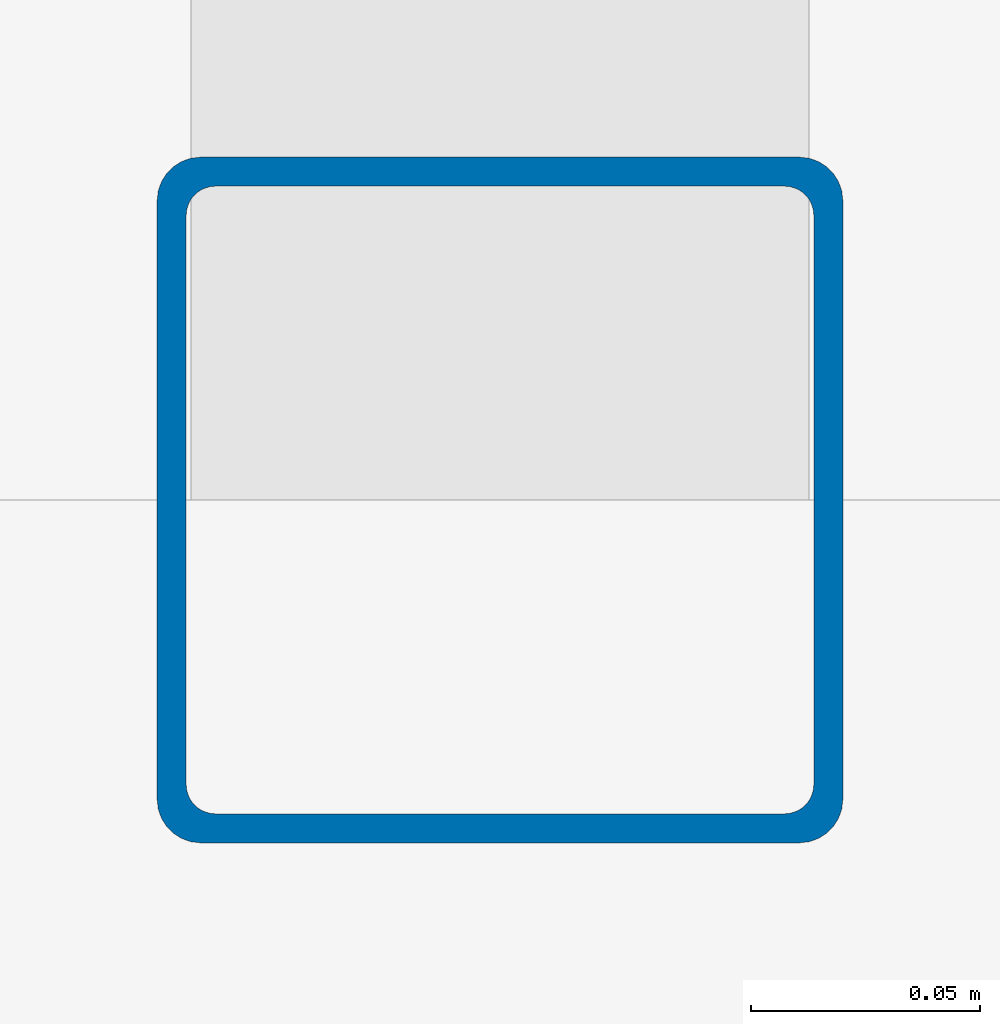
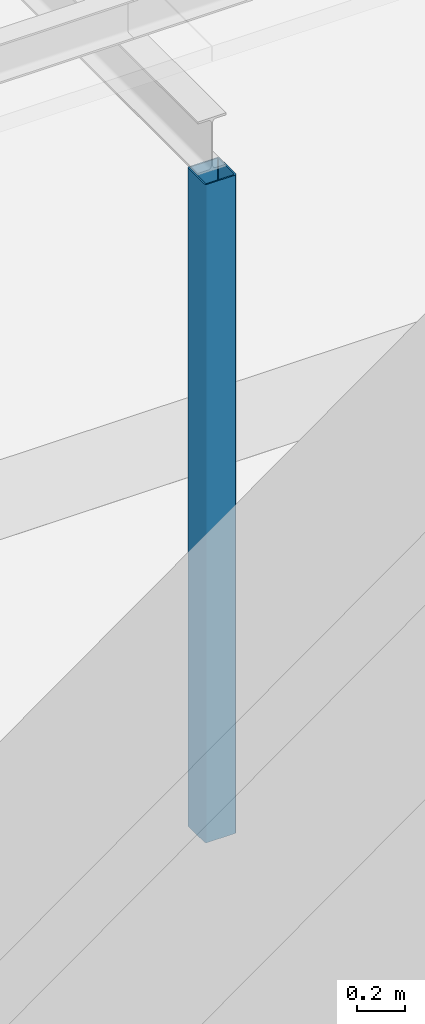
# One storey, part 16 of 144: 1 column.
"""IFC4 building model written with IfcOpenShell, lengths in metres."""

from ifc_helpers import new_model, si_unit, direction, frame, origin, origin_2d, place, context, subcontext, project, spatial, hollow_rectangle, extrude, material, material_profile, profile_set, type_object, element, save


model = new_model("IFC4")

# Units and contexts
model_context = context("Model", 3, precision=1e-05, world=origin(), true_north=direction((0.0, 1.0)))
body_context = subcontext(model_context, "Body", "Model", "MODEL_VIEW")
ifc_project = project(units=[si_unit("LENGTHUNIT", "METRE"), si_unit("AREAUNIT", "SQUARE_METRE"), si_unit("VOLUMEUNIT", "CUBIC_METRE"), si_unit("PLANEANGLEUNIT", "RADIAN"), si_unit("MASSUNIT", "GRAM", prefix="KILO")], contexts=[model_context])

# Site, building, storey
site_placement = place(None, origin())
site = spatial("IfcSite", under=ifc_project, at=site_placement, CompositionType="ELEMENT")
building_placement = place(site_placement, origin())
building = spatial("IfcBuilding", under=site, at=building_placement, Name="Lantern Court Media Centre", CompositionType="ELEMENT")
storey_placement = place(building_placement, origin())
storey = spatial("IfcBuildingStorey", under=building, at=storey_placement, Name="L00", CompositionType="ELEMENT", Elevation=0.0)

# Column
ifc_material = material(Name="Steel S355J2 (EN 10025-2)", Category="steel")
ifc_material_profile = material_profile(ifc_material, hollow_rectangle(XDim=0.14990234375, YDim=0.14990234375, WallThickness=0.00634765625, InnerFilletRadius=0.00634765625, OuterFilletRadius=0.009521484375, at=origin_2d()), Name="Cloister canopy post SHS 150x6.3")
ifc_profile_set = profile_set([ifc_material_profile], Name="Steel S355J2 (EN 10025-2)")
column_type = type_object("IfcColumnType", Name="Cloister canopy post SHS 150x6.3", PredefinedType="COLUMN", material=ifc_profile_set)
column_placement = place(storey_placement, frame((88.0, 41.5, 0.0), z_axis=(0.0, 0.0, 1.0), x_axis=(1.0, 0.0, 0.0)))
element("IfcColumn", 1, at=column_placement, inside=storey, type_object=column_type, Name="Cloister post 2-3-1", PredefinedType="COLUMN", context=body_context, shape_type="SweptSolid", body=[
    extrude(hollow_rectangle(XDim=0.14990234375, YDim=0.14990234375, WallThickness=0.00634765625, InnerFilletRadius=0.00634765625, OuterFilletRadius=0.009521484375, at=origin_2d()), origin(), (0.0, 0.0, 1.0), 3.330078125),
])

save(model, "model.ifc")
